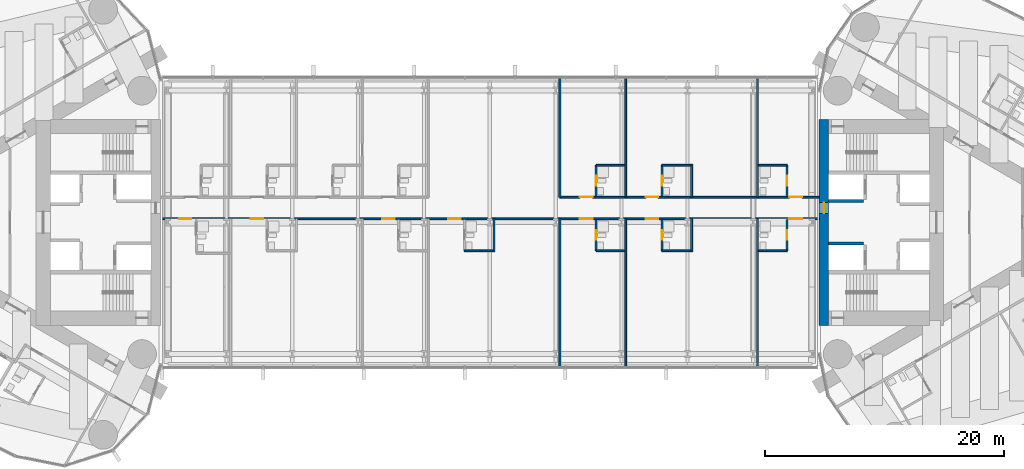
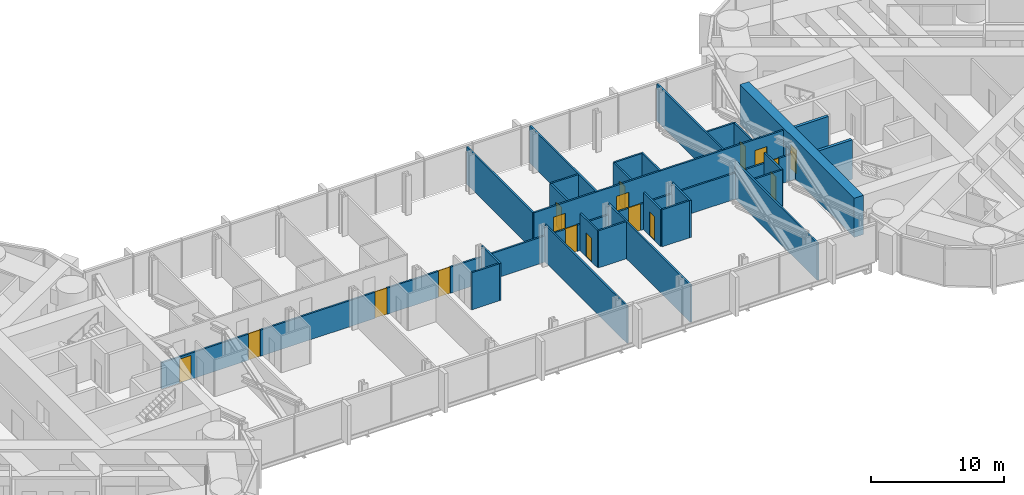
# One storey, part 17 of 22: 27 walls, 17 doors, 17 openings.
"""IFC4 building model written with IfcOpenShell, lengths in metres."""

from ifc_helpers import new_model, si_unit, direction, frame, frame_2d, origin, place, context, subcontext, project, spatial, rectangle, extrude, material, layer, layer_set, type_object, element, fill, save


model = new_model("IFC4")

# Units and contexts
model_context = context("Model", 3, precision=1e-05, world=origin(), true_north=direction((0.0, 1.0)))
body_context = subcontext(model_context, "Body", "Model", "MODEL_VIEW")
ifc_project = project(units=[si_unit("LENGTHUNIT", "METRE"), si_unit("AREAUNIT", "SQUARE_METRE"), si_unit("VOLUMEUNIT", "CUBIC_METRE"), si_unit("PLANEANGLEUNIT", "RADIAN"), si_unit("MASSUNIT", "GRAM", prefix="KILO")], contexts=[model_context])

# Site, building, storey
site_placement = place(None, origin())
site = spatial("IfcSite", under=ifc_project, at=site_placement, CompositionType="ELEMENT")
building_placement = place(site_placement, origin())
building = spatial("IfcBuilding", under=site, at=building_placement, Name="Lancet Gate Hotel", CompositionType="ELEMENT")
storey_placement = place(building_placement, frame((0.0, 0.0, 226.10009765625)))
storey = spatial("IfcBuildingStorey", under=building, at=storey_placement, Name="L60", CompositionType="ELEMENT", Elevation=226.10009765625)

# Walls
ifc_material_1 = material(Name="Moisture resistant board partition")
ifc_layer_1 = layer(ifc_material_1, 0.14990234375)
ifc_layer_set_1 = layer_set([ifc_layer_1], Name="Bathroom wall 150")
wall_type_1 = type_object("IfcWallType", Name="Bathroom wall 150", PredefinedType="PARTITIONING", material=ifc_layer_set_1)
for number, where, z_axis, x_axis, name in (
    (1, (-2.125, -2.375, 0.0), (0.0, 0.0, 1.0), (1.0, 0.0, 0.0), "Bridge block bathroom wall 150 L60"),
    (2, (8.875, -2.375, 0.0), (0.0, 0.0, 1.0), (1.0, 0.0, 0.0), "Bridge block bathroom wall 150 L60"),
):
    element("IfcWall", number, at=place(storey_placement, frame(where, z_axis=z_axis, x_axis=x_axis)), inside=storey, type_object=wall_type_1, Name=name, PredefinedType="PARTITIONING", context=body_context, shape_type="SweptSolid", body=[
        extrude(rectangle(XDim=2.39990234375, YDim=0.14990234375, at=frame_2d((1.199951171875, 0.0))), origin(), (0.0, 0.0, 1.0), 3.39990234375),
    ])

# Wall, opening, door
wall_1_placement = place(storey_placement, frame((8.875, -2.375, 0.0), z_axis=(0.0, 0.0, 1.0), x_axis=(0.0, 1.0, 0.0)))
wall_1 = element("IfcWall", 3, at=wall_1_placement, inside=storey, type_object=wall_type_1, Name="Bridge block bathroom wall 150 L60", PredefinedType="PARTITIONING", context=body_context, shape_type="SweptSolid", body=[
    extrude(rectangle(XDim=2.60009765625, YDim=0.14990234375, at=frame_2d((1.300048828125, 0.0))), origin(), (0.0, 0.0, 1.0), 3.39990234375),
])
opening_1_placement = place(wall_1_placement, frame((0.89990234375, 0.0, 0.0)))
opening_1 = element("IfcOpeningElement", 4, at=opening_1_placement, cuts=wall_1, Name="Opening B6007-B", PredefinedType="OPENING", context=body_context, shape_type="SweptSolid", body=[
    extrude(rectangle(XDim=0.800048828125, YDim=2.199951171875, at=frame_2d((0.39990234375, 1.10009765625))), frame((0.0, 0.0849609375, 0.0), z_axis=(0.0, -1.0, 0.0), x_axis=(1.0, 0.0, 0.0)), (0.0, 0.0, 1.0), 0.169921875),
])
ifc_material_2 = material(Name="Timber door set", Category="wood")
door_type_1 = type_object("IfcDoorType", Name="Bathroom door 800", OperationType="SINGLE_SWING_RIGHT", PredefinedType="DOOR", material=ifc_material_2)
door_1_placement = place(opening_1_placement, origin())
door_1 = element("IfcDoor", 5, at=door_1_placement, inside=storey, type_object=door_type_1, Name="B6007-B", OperationType="SINGLE_SWING_RIGHT", OverallHeight=2.199951171875, OverallWidth=0.800048828125, PredefinedType="DOOR", context=body_context, shape_type="SweptSolid", body=[
    extrude(rectangle(XDim=0.800048828125, YDim=2.199951171875, at=frame_2d((0.39990234375, 1.10009765625))), frame((0.0, 0.02490234375, 0.0), z_axis=(0.0, -1.0, 0.0), x_axis=(1.0, 0.0, 0.0)), (0.0, 0.0, 1.0), 0.050048828125),
])
fill(opening_1, door_1)

# Wall
wall_2_placement = place(storey_placement, frame((14.375, -2.375, 0.0), z_axis=(0.0, 0.0, 1.0), x_axis=(1.0, 0.0, 0.0)))
element("IfcWall", 6, at=wall_2_placement, inside=storey, type_object=wall_type_1, Name="Bridge block bathroom wall 150 L60", PredefinedType="PARTITIONING", context=body_context, shape_type="SweptSolid", body=[
    extrude(rectangle(XDim=2.39990234375, YDim=0.14990234375, at=frame_2d((1.199951171875, 0.0))), origin(), (0.0, 0.0, 1.0), 3.39990234375),
])

# Wall, opening, door
wall_3_placement = place(storey_placement, frame((14.375, -2.375, 0.0), z_axis=(0.0, 0.0, 1.0), x_axis=(0.0, 1.0, 0.0)))
wall_3 = element("IfcWall", 7, at=wall_3_placement, inside=storey, type_object=wall_type_1, Name="Bridge block bathroom wall 150 L60", PredefinedType="PARTITIONING", context=body_context, shape_type="SweptSolid", body=[
    extrude(rectangle(XDim=2.60009765625, YDim=0.14990234375, at=frame_2d((1.300048828125, 0.0))), origin(), (0.0, 0.0, 1.0), 3.39990234375),
])
opening_2_placement = place(wall_3_placement, frame((0.89990234375, 0.0, 0.0)))
opening_2 = element("IfcOpeningElement", 8, at=opening_2_placement, cuts=wall_3, Name="Opening B6008-B", PredefinedType="OPENING", context=body_context, shape_type="SweptSolid", body=[
    extrude(rectangle(XDim=0.800048828125, YDim=2.199951171875, at=frame_2d((0.39990234375, 1.10009765625))), frame((0.0, 0.0849609375, 0.0), z_axis=(0.0, -1.0, 0.0), x_axis=(1.0, 0.0, 0.0)), (0.0, 0.0, 1.0), 0.169921875),
])
door_2_placement = place(opening_2_placement, origin())
door_2 = element("IfcDoor", 9, at=door_2_placement, inside=storey, type_object=door_type_1, Name="B6008-B", OperationType="SINGLE_SWING_RIGHT", OverallHeight=2.199951171875, OverallWidth=0.800048828125, PredefinedType="DOOR", context=body_context, shape_type="SweptSolid", body=[
    extrude(rectangle(XDim=0.800048828125, YDim=2.199951171875, at=frame_2d((0.39990234375, 1.10009765625))), frame((0.0, 0.02490234375, 0.0), z_axis=(0.0, -1.0, 0.0), x_axis=(1.0, 0.0, 0.0)), (0.0, 0.0, 1.0), 0.050048828125),
])
fill(opening_2, door_2)

# Wall
wall_4_placement = place(storey_placement, frame((22.425048828125, -2.375, 0.0), z_axis=(0.0, 0.0, 1.0), x_axis=(1.0, 0.0, 0.0)))
element("IfcWall", 10, at=wall_4_placement, inside=storey, type_object=wall_type_1, Name="Bridge block bathroom wall 150 L60", PredefinedType="PARTITIONING", context=body_context, shape_type="SweptSolid", body=[
    extrude(rectangle(XDim=2.39990234375, YDim=0.14990234375, at=frame_2d((1.199951171875, 0.0))), origin(), (0.0, 0.0, 1.0), 3.39990234375),
])

# Wall, opening, door
wall_5_placement = place(storey_placement, frame((24.824951171875, -2.375, 0.0), z_axis=(0.0, 0.0, 1.0), x_axis=(0.0, 1.0, 0.0)))
wall_5 = element("IfcWall", 11, at=wall_5_placement, inside=storey, type_object=wall_type_1, Name="Bridge block bathroom wall 150 L60", PredefinedType="PARTITIONING", context=body_context, shape_type="SweptSolid", body=[
    extrude(rectangle(XDim=2.60009765625, YDim=0.14990234375, at=frame_2d((1.300048828125, 0.0))), origin(), (0.0, 0.0, 1.0), 3.39990234375),
])
opening_3_placement = place(wall_5_placement, frame((0.89990234375, 0.0, 0.0)))
opening_3 = element("IfcOpeningElement", 12, at=opening_3_placement, cuts=wall_5, Name="Opening B6010-B", PredefinedType="OPENING", context=body_context, shape_type="SweptSolid", body=[
    extrude(rectangle(XDim=0.800048828125, YDim=2.199951171875, at=frame_2d((0.39990234375, 1.10009765625))), frame((0.0, 0.0849609375, 0.0), z_axis=(0.0, -1.0, 0.0), x_axis=(1.0, 0.0, 0.0)), (0.0, 0.0, 1.0), 0.169921875),
])
door_3_placement = place(opening_3_placement, origin())
door_3 = element("IfcDoor", 13, at=door_3_placement, inside=storey, type_object=door_type_1, Name="B6010-B", OperationType="SINGLE_SWING_RIGHT", OverallHeight=2.199951171875, OverallWidth=0.800048828125, PredefinedType="DOOR", context=body_context, shape_type="SweptSolid", body=[
    extrude(rectangle(XDim=0.800048828125, YDim=2.199951171875, at=frame_2d((0.39990234375, 1.10009765625))), frame((0.0, 0.02490234375, 0.0), z_axis=(0.0, -1.0, 0.0), x_axis=(1.0, 0.0, 0.0)), (0.0, 0.0, 1.0), 0.050048828125),
])
fill(opening_3, door_3)

# Wall
wall_6_placement = place(storey_placement, frame((8.875, 4.77490234375, 0.0), z_axis=(0.0, 0.0, 1.0), x_axis=(1.0, 0.0, 0.0)))
element("IfcWall", 14, at=wall_6_placement, inside=storey, type_object=wall_type_1, Name="Bridge block bathroom wall 150 L60", PredefinedType="PARTITIONING", context=body_context, shape_type="SweptSolid", body=[
    extrude(rectangle(XDim=2.39990234375, YDim=0.14990234375, at=frame_2d((1.199951171875, 0.0))), origin(), (0.0, 0.0, 1.0), 3.39990234375),
])

# Wall, opening, door
wall_7_placement = place(storey_placement, frame((8.875, 2.175048828125, 0.0), z_axis=(0.0, 0.0, 1.0), x_axis=(0.0, 1.0, 0.0)))
wall_7 = element("IfcWall", 15, at=wall_7_placement, inside=storey, type_object=wall_type_1, Name="Bridge block bathroom wall 150 L60", PredefinedType="PARTITIONING", context=body_context, shape_type="SweptSolid", body=[
    extrude(rectangle(XDim=2.599853515625, YDim=0.14990234375, at=frame_2d((1.2998046875, 0.0))), origin(), (0.0, 0.0, 1.0), 3.39990234375),
])
opening_4_placement = place(wall_7_placement, frame((0.89990234375, 0.0, 0.0)))
opening_4 = element("IfcOpeningElement", 16, at=opening_4_placement, cuts=wall_7, Name="Opening B6017-B", PredefinedType="OPENING", context=body_context, shape_type="SweptSolid", body=[
    extrude(rectangle(XDim=0.800048828125, YDim=2.199951171875, at=frame_2d((0.39990234375, 1.10009765625))), frame((0.0, 0.0849609375, 0.0), z_axis=(0.0, -1.0, 0.0), x_axis=(1.0, 0.0, 0.0)), (0.0, 0.0, 1.0), 0.169921875),
])
door_4_placement = place(opening_4_placement, origin())
door_4 = element("IfcDoor", 17, at=door_4_placement, inside=storey, type_object=door_type_1, Name="B6017-B", OperationType="SINGLE_SWING_RIGHT", OverallHeight=2.199951171875, OverallWidth=0.800048828125, PredefinedType="DOOR", context=body_context, shape_type="SweptSolid", body=[
    extrude(rectangle(XDim=0.800048828125, YDim=2.199951171875, at=frame_2d((0.39990234375, 1.10009765625))), frame((0.0, 0.02490234375, 0.0), z_axis=(0.0, -1.0, 0.0), x_axis=(1.0, 0.0, 0.0)), (0.0, 0.0, 1.0), 0.050048828125),
])
fill(opening_4, door_4)

# Wall
wall_8_placement = place(storey_placement, frame((14.375, 4.77490234375, 0.0), z_axis=(0.0, 0.0, 1.0), x_axis=(1.0, 0.0, 0.0)))
element("IfcWall", 18, at=wall_8_placement, inside=storey, type_object=wall_type_1, Name="Bridge block bathroom wall 150 L60", PredefinedType="PARTITIONING", context=body_context, shape_type="SweptSolid", body=[
    extrude(rectangle(XDim=2.39990234375, YDim=0.14990234375, at=frame_2d((1.199951171875, 0.0))), origin(), (0.0, 0.0, 1.0), 3.39990234375),
])

# Wall, opening, door
wall_9_placement = place(storey_placement, frame((14.375, 2.175048828125, 0.0), z_axis=(0.0, 0.0, 1.0), x_axis=(0.0, 1.0, 0.0)))
wall_9 = element("IfcWall", 19, at=wall_9_placement, inside=storey, type_object=wall_type_1, Name="Bridge block bathroom wall 150 L60", PredefinedType="PARTITIONING", context=body_context, shape_type="SweptSolid", body=[
    extrude(rectangle(XDim=2.599853515625, YDim=0.14990234375, at=frame_2d((1.2998046875, 0.0))), origin(), (0.0, 0.0, 1.0), 3.39990234375),
])
opening_5_placement = place(wall_9_placement, frame((0.89990234375, 0.0, 0.0)))
opening_5 = element("IfcOpeningElement", 20, at=opening_5_placement, cuts=wall_9, Name="Opening B6018-B", PredefinedType="OPENING", context=body_context, shape_type="SweptSolid", body=[
    extrude(rectangle(XDim=0.800048828125, YDim=2.199951171875, at=frame_2d((0.39990234375, 1.10009765625))), frame((0.0, 0.0849609375, 0.0), z_axis=(0.0, -1.0, 0.0), x_axis=(1.0, 0.0, 0.0)), (0.0, 0.0, 1.0), 0.169921875),
])
door_5_placement = place(opening_5_placement, origin())
door_5 = element("IfcDoor", 21, at=door_5_placement, inside=storey, type_object=door_type_1, Name="B6018-B", OperationType="SINGLE_SWING_RIGHT", OverallHeight=2.199951171875, OverallWidth=0.800048828125, PredefinedType="DOOR", context=body_context, shape_type="SweptSolid", body=[
    extrude(rectangle(XDim=0.800048828125, YDim=2.199951171875, at=frame_2d((0.39990234375, 1.10009765625))), frame((0.0, 0.02490234375, 0.0), z_axis=(0.0, -1.0, 0.0), x_axis=(1.0, 0.0, 0.0)), (0.0, 0.0, 1.0), 0.050048828125),
])
fill(opening_5, door_5)

# Wall
wall_10_placement = place(storey_placement, frame((22.425048828125, 4.77490234375, 0.0), z_axis=(0.0, 0.0, 1.0), x_axis=(1.0, 0.0, 0.0)))
element("IfcWall", 22, at=wall_10_placement, inside=storey, type_object=wall_type_1, Name="Bridge block bathroom wall 150 L60", PredefinedType="PARTITIONING", context=body_context, shape_type="SweptSolid", body=[
    extrude(rectangle(XDim=2.39990234375, YDim=0.14990234375, at=frame_2d((1.199951171875, 0.0))), origin(), (0.0, 0.0, 1.0), 3.39990234375),
])

# Wall, opening, door
wall_11_placement = place(storey_placement, frame((24.824951171875, 2.175048828125, 0.0), z_axis=(0.0, 0.0, 1.0), x_axis=(0.0, 1.0, 0.0)))
wall_11 = element("IfcWall", 23, at=wall_11_placement, inside=storey, type_object=wall_type_1, Name="Bridge block bathroom wall 150 L60", PredefinedType="PARTITIONING", context=body_context, shape_type="SweptSolid", body=[
    extrude(rectangle(XDim=2.599853515625, YDim=0.14990234375, at=frame_2d((1.2998046875, 0.0))), origin(), (0.0, 0.0, 1.0), 3.39990234375),
])
opening_6_placement = place(wall_11_placement, frame((0.89990234375, 0.0, 0.0)))
opening_6 = element("IfcOpeningElement", 24, at=opening_6_placement, cuts=wall_11, Name="Opening B6020-B", PredefinedType="OPENING", context=body_context, shape_type="SweptSolid", body=[
    extrude(rectangle(XDim=0.800048828125, YDim=2.199951171875, at=frame_2d((0.39990234375, 1.10009765625))), frame((0.0, 0.0849609375, 0.0), z_axis=(0.0, -1.0, 0.0), x_axis=(1.0, 0.0, 0.0)), (0.0, 0.0, 1.0), 0.169921875),
])
door_6_placement = place(opening_6_placement, origin())
door_6 = element("IfcDoor", 25, at=door_6_placement, inside=storey, type_object=door_type_1, Name="B6020-B", OperationType="SINGLE_SWING_RIGHT", OverallHeight=2.199951171875, OverallWidth=0.800048828125, PredefinedType="DOOR", context=body_context, shape_type="SweptSolid", body=[
    extrude(rectangle(XDim=0.800048828125, YDim=2.199951171875, at=frame_2d((0.39990234375, 1.10009765625))), frame((0.0, 0.02490234375, 0.0), z_axis=(0.0, -1.0, 0.0), x_axis=(1.0, 0.0, 0.0)), (0.0, 0.0, 1.0), 0.050048828125),
])
fill(opening_6, door_6)

# Wall, openings, doors
ifc_material_3 = material(Name="Gypsum board partition")
ifc_layer_2 = layer(ifc_material_3, 0.14990234375)
ifc_layer_set_2 = layer_set([ifc_layer_2], Name="Block corridor wall 150")
wall_type_2 = type_object("IfcWallType", Name="Block corridor wall 150", PredefinedType="PARTITIONING", material=ifc_layer_set_2)
wall_12_placement = place(storey_placement, frame((-27.5, 0.300048828125, 0.0), z_axis=(0.0, 0.0, 1.0), x_axis=(1.0, 0.0, 0.0)))
wall_12 = element("IfcWall", 26, at=wall_12_placement, inside=storey, type_object=wall_type_2, Name="Bridge block block corridor wall 150 L60", PredefinedType="PARTITIONING", context=body_context, shape_type="SweptSolid", body=[
    extrude(rectangle(XDim=55.0, YDim=0.14990234375, at=frame_2d((27.5, 0.0))), origin(), (0.0, 0.0, 1.0), 2.39990234375),
])
opening_7_placement = place(wall_12_placement, frame((1.574951171875, 0.0, 0.0)))
opening_7 = element("IfcOpeningElement", 27, at=opening_7_placement, cuts=wall_12, Name="Opening B6001", PredefinedType="OPENING", context=body_context, shape_type="SweptSolid", body=[
    extrude(rectangle(XDim=1.0, YDim=2.199951171875, at=frame_2d((0.5, 1.10009765625))), frame((0.0, 0.0849609375, 0.0), z_axis=(0.0, -1.0, 0.0), x_axis=(1.0, 0.0, 0.0)), (0.0, 0.0, 1.0), 0.169921875),
])
opening_8_placement = place(wall_12_placement, frame((7.52490234375, 0.0, 0.0)))
opening_8 = element("IfcOpeningElement", 28, at=opening_8_placement, cuts=wall_12, Name="Opening B6002", PredefinedType="OPENING", context=body_context, shape_type="SweptSolid", body=[
    extrude(rectangle(XDim=1.050048828125, YDim=2.39990234375, at=frame_2d((0.52490234375, 1.199951171875))), frame((0.0, 0.0849609375, 0.0), z_axis=(0.0, -1.0, 0.0), x_axis=(1.0, 0.0, 0.0)), (0.0, 0.0, 1.0), 0.169921875),
])
opening_9_placement = place(wall_12_placement, frame((18.52490234375, 0.0, 0.0)))
opening_9 = element("IfcOpeningElement", 29, at=opening_9_placement, cuts=wall_12, Name="Opening B6004", PredefinedType="OPENING", context=body_context, shape_type="SweptSolid", body=[
    extrude(rectangle(XDim=1.050048828125, YDim=2.39990234375, at=frame_2d((0.52490234375, 1.199951171875))), frame((0.0, 0.0849609375, 0.0), z_axis=(0.0, -1.0, 0.0), x_axis=(1.0, 0.0, 0.0)), (0.0, 0.0, 1.0), 0.169921875),
])
opening_10_placement = place(wall_12_placement, frame((24.02490234375, 0.0, 0.0)))
opening_10 = element("IfcOpeningElement", 30, at=opening_10_placement, cuts=wall_12, Name="Opening B6005", PredefinedType="OPENING", context=body_context, shape_type="SweptSolid", body=[
    extrude(rectangle(XDim=1.050048828125, YDim=2.39990234375, at=frame_2d((0.52490234375, 1.199951171875))), frame((0.0, 0.0849609375, 0.0), z_axis=(0.0, -1.0, 0.0), x_axis=(1.0, 0.0, 0.0)), (0.0, 0.0, 1.0), 0.169921875),
])
opening_11_placement = place(wall_12_placement, frame((35.02490234375, 0.0, 0.0)))
opening_11 = element("IfcOpeningElement", 31, at=opening_11_placement, cuts=wall_12, Name="Opening B6007", PredefinedType="OPENING", context=body_context, shape_type="SweptSolid", body=[
    extrude(rectangle(XDim=1.050048828125, YDim=2.39990234375, at=frame_2d((0.52490234375, 1.199951171875))), frame((0.0, 0.0849609375, 0.0), z_axis=(0.0, -1.0, 0.0), x_axis=(1.0, 0.0, 0.0)), (0.0, 0.0, 1.0), 0.169921875),
])
opening_12_placement = place(wall_12_placement, frame((40.52490234375, 0.0, 0.0)))
opening_12 = element("IfcOpeningElement", 32, at=opening_12_placement, cuts=wall_12, Name="Opening B6008", PredefinedType="OPENING", context=body_context, shape_type="SweptSolid", body=[
    extrude(rectangle(XDim=1.050048828125, YDim=2.39990234375, at=frame_2d((0.52490234375, 1.199951171875))), frame((0.0, 0.0849609375, 0.0), z_axis=(0.0, -1.0, 0.0), x_axis=(1.0, 0.0, 0.0)), (0.0, 0.0, 1.0), 0.169921875),
])
opening_13_placement = place(wall_12_placement, frame((52.52490234375, 0.0, 0.0)))
opening_13 = element("IfcOpeningElement", 33, at=opening_13_placement, cuts=wall_12, Name="Opening B6010", PredefinedType="OPENING", context=body_context, shape_type="SweptSolid", body=[
    extrude(rectangle(XDim=1.050048828125, YDim=2.39990234375, at=frame_2d((0.52490234375, 1.199951171875))), frame((0.0, 0.0849609375, 0.0), z_axis=(0.0, -1.0, 0.0), x_axis=(1.0, 0.0, 0.0)), (0.0, 0.0, 1.0), 0.169921875),
])
ifc_material_4 = material(Name="Timber door set", Category="wood")
door_type_2 = type_object("IfcDoorType", Name="Accessible guest room door 1000", OperationType="SINGLE_SWING_LEFT", PredefinedType="DOOR", material=ifc_material_4)
door_7_placement = place(opening_7_placement, origin())
door_7 = element("IfcDoor", 34, at=door_7_placement, inside=storey, type_object=door_type_2, Name="B6001", OperationType="SINGLE_SWING_LEFT", OverallHeight=2.199951171875, OverallWidth=1.0, PredefinedType="DOOR", context=body_context, shape_type="SweptSolid", body=[
    extrude(rectangle(XDim=1.0, YDim=2.199951171875, at=frame_2d((0.5, 1.10009765625))), frame((0.0, 0.02490234375, 0.0), z_axis=(0.0, -1.0, 0.0), x_axis=(1.0, 0.0, 0.0)), (0.0, 0.0, 1.0), 0.050048828125),
])
fill(opening_7, door_7)
ifc_material_5 = material(Name="Timber door set", Category="wood")
door_type_3 = type_object("IfcDoorType", Name="Suite entry door 1050", OperationType="SINGLE_SWING_LEFT", PredefinedType="DOOR", material=ifc_material_5)
door_8_placement = place(opening_8_placement, origin())
door_8 = element("IfcDoor", 35, at=door_8_placement, inside=storey, type_object=door_type_3, Name="B6002", OperationType="SINGLE_SWING_LEFT", OverallHeight=2.39990234375, OverallWidth=1.050048828125, PredefinedType="DOOR", context=body_context, shape_type="SweptSolid", body=[
    extrude(rectangle(XDim=1.050048828125, YDim=2.39990234375, at=frame_2d((0.52490234375, 1.199951171875))), frame((0.0, 0.02490234375, 0.0), z_axis=(0.0, -1.0, 0.0), x_axis=(1.0, 0.0, 0.0)), (0.0, 0.0, 1.0), 0.050048828125),
])
fill(opening_8, door_8)
door_9_placement = place(opening_9_placement, origin())
door_9 = element("IfcDoor", 36, at=door_9_placement, inside=storey, type_object=door_type_3, Name="B6004", OperationType="SINGLE_SWING_LEFT", OverallHeight=2.39990234375, OverallWidth=1.050048828125, PredefinedType="DOOR", context=body_context, shape_type="SweptSolid", body=[
    extrude(rectangle(XDim=1.050048828125, YDim=2.39990234375, at=frame_2d((0.52490234375, 1.199951171875))), frame((0.0, 0.02490234375, 0.0), z_axis=(0.0, -1.0, 0.0), x_axis=(1.0, 0.0, 0.0)), (0.0, 0.0, 1.0), 0.050048828125),
])
fill(opening_9, door_9)
door_10_placement = place(opening_10_placement, origin())
door_10 = element("IfcDoor", 37, at=door_10_placement, inside=storey, type_object=door_type_3, Name="B6005", OperationType="SINGLE_SWING_LEFT", OverallHeight=2.39990234375, OverallWidth=1.050048828125, PredefinedType="DOOR", context=body_context, shape_type="SweptSolid", body=[
    extrude(rectangle(XDim=1.050048828125, YDim=2.39990234375, at=frame_2d((0.52490234375, 1.199951171875))), frame((0.0, 0.02490234375, 0.0), z_axis=(0.0, -1.0, 0.0), x_axis=(1.0, 0.0, 0.0)), (0.0, 0.0, 1.0), 0.050048828125),
])
fill(opening_10, door_10)
door_11_placement = place(opening_11_placement, origin())
door_11 = element("IfcDoor", 38, at=door_11_placement, inside=storey, type_object=door_type_3, Name="B6007", OperationType="SINGLE_SWING_LEFT", OverallHeight=2.39990234375, OverallWidth=1.050048828125, PredefinedType="DOOR", context=body_context, shape_type="SweptSolid", body=[
    extrude(rectangle(XDim=1.050048828125, YDim=2.39990234375, at=frame_2d((0.52490234375, 1.199951171875))), frame((0.0, 0.02490234375, 0.0), z_axis=(0.0, -1.0, 0.0), x_axis=(1.0, 0.0, 0.0)), (0.0, 0.0, 1.0), 0.050048828125),
])
fill(opening_11, door_11)
door_12_placement = place(opening_12_placement, origin())
door_12 = element("IfcDoor", 39, at=door_12_placement, inside=storey, type_object=door_type_3, Name="B6008", OperationType="SINGLE_SWING_LEFT", OverallHeight=2.39990234375, OverallWidth=1.050048828125, PredefinedType="DOOR", context=body_context, shape_type="SweptSolid", body=[
    extrude(rectangle(XDim=1.050048828125, YDim=2.39990234375, at=frame_2d((0.52490234375, 1.199951171875))), frame((0.0, 0.02490234375, 0.0), z_axis=(0.0, -1.0, 0.0), x_axis=(1.0, 0.0, 0.0)), (0.0, 0.0, 1.0), 0.050048828125),
])
fill(opening_12, door_12)
door_13_placement = place(opening_13_placement, origin())
door_13 = element("IfcDoor", 40, at=door_13_placement, inside=storey, type_object=door_type_3, Name="B6010", OperationType="SINGLE_SWING_LEFT", OverallHeight=2.39990234375, OverallWidth=1.050048828125, PredefinedType="DOOR", context=body_context, shape_type="SweptSolid", body=[
    extrude(rectangle(XDim=1.050048828125, YDim=2.39990234375, at=frame_2d((0.52490234375, 1.199951171875))), frame((0.0, 0.02490234375, 0.0), z_axis=(0.0, -1.0, 0.0), x_axis=(1.0, 0.0, 0.0)), (0.0, 0.0, 1.0), 0.050048828125),
])
fill(opening_13, door_13)

wall_13_placement = place(storey_placement, frame((5.85009765625, 2.10009765625, 0.0), z_axis=(0.0, 0.0, 1.0), x_axis=(1.0, 0.0, 0.0)))
wall_13 = element("IfcWall", 41, at=wall_13_placement, inside=storey, type_object=wall_type_2, Name="Bridge block block corridor wall 150 L60", PredefinedType="PARTITIONING", context=body_context, shape_type="SweptSolid", body=[
    extrude(rectangle(XDim=21.64990234375, YDim=0.14990234375, at=frame_2d((10.824951171875, 0.0))), origin(), (0.0, 0.0, 1.0), 3.39990234375),
])
opening_14_placement = place(wall_13_placement, frame((1.675048828125, 0.0, 0.0)))
opening_14 = element("IfcOpeningElement", 42, at=opening_14_placement, cuts=wall_13, Name="Opening B6017", PredefinedType="OPENING", context=body_context, shape_type="SweptSolid", body=[
    extrude(rectangle(XDim=1.050048828125, YDim=2.39990234375, at=frame_2d((0.52490234375, 1.199951171875))), frame((0.0, 0.0849609375, 0.0), z_axis=(0.0, -1.0, 0.0), x_axis=(1.0, 0.0, 0.0)), (0.0, 0.0, 1.0), 0.169921875),
])
opening_15_placement = place(wall_13_placement, frame((7.175048828125, 0.0, 0.0)))
opening_15 = element("IfcOpeningElement", 43, at=opening_15_placement, cuts=wall_13, Name="Opening B6018", PredefinedType="OPENING", context=body_context, shape_type="SweptSolid", body=[
    extrude(rectangle(XDim=1.050048828125, YDim=2.39990234375, at=frame_2d((0.52490234375, 1.199951171875))), frame((0.0, 0.0849609375, 0.0), z_axis=(0.0, -1.0, 0.0), x_axis=(1.0, 0.0, 0.0)), (0.0, 0.0, 1.0), 0.169921875),
])
opening_16_placement = place(wall_13_placement, frame((19.175048828125, 0.0, 0.0)))
opening_16 = element("IfcOpeningElement", 44, at=opening_16_placement, cuts=wall_13, Name="Opening B6020", PredefinedType="OPENING", context=body_context, shape_type="SweptSolid", body=[
    extrude(rectangle(XDim=1.050048828125, YDim=2.39990234375, at=frame_2d((0.52490234375, 1.199951171875))), frame((0.0, 0.0849609375, 0.0), z_axis=(0.0, -1.0, 0.0), x_axis=(1.0, 0.0, 0.0)), (0.0, 0.0, 1.0), 0.169921875),
])
door_14_placement = place(opening_14_placement, origin())
door_14 = element("IfcDoor", 45, at=door_14_placement, inside=storey, type_object=door_type_3, Name="B6017", OperationType="SINGLE_SWING_LEFT", OverallHeight=2.39990234375, OverallWidth=1.050048828125, PredefinedType="DOOR", context=body_context, shape_type="SweptSolid", body=[
    extrude(rectangle(XDim=1.050048828125, YDim=2.39990234375, at=frame_2d((0.52490234375, 1.199951171875))), frame((0.0, 0.02490234375, 0.0), z_axis=(0.0, -1.0, 0.0), x_axis=(1.0, 0.0, 0.0)), (0.0, 0.0, 1.0), 0.050048828125),
])
fill(opening_14, door_14)
door_15_placement = place(opening_15_placement, origin())
door_15 = element("IfcDoor", 46, at=door_15_placement, inside=storey, type_object=door_type_3, Name="B6018", OperationType="SINGLE_SWING_LEFT", OverallHeight=2.39990234375, OverallWidth=1.050048828125, PredefinedType="DOOR", context=body_context, shape_type="SweptSolid", body=[
    extrude(rectangle(XDim=1.050048828125, YDim=2.39990234375, at=frame_2d((0.52490234375, 1.199951171875))), frame((0.0, 0.02490234375, 0.0), z_axis=(0.0, -1.0, 0.0), x_axis=(1.0, 0.0, 0.0)), (0.0, 0.0, 1.0), 0.050048828125),
])
fill(opening_15, door_15)
door_16_placement = place(opening_16_placement, origin())
door_16 = element("IfcDoor", 47, at=door_16_placement, inside=storey, type_object=door_type_3, Name="B6020", OperationType="SINGLE_SWING_LEFT", OverallHeight=2.39990234375, OverallWidth=1.050048828125, PredefinedType="DOOR", context=body_context, shape_type="SweptSolid", body=[
    extrude(rectangle(XDim=1.050048828125, YDim=2.39990234375, at=frame_2d((0.52490234375, 1.199951171875))), frame((0.0, 0.02490234375, 0.0), z_axis=(0.0, -1.0, 0.0), x_axis=(1.0, 0.0, 0.0)), (0.0, 0.0, 1.0), 0.050048828125),
])
fill(opening_16, door_16)

# Wall, opening, door
ifc_material_6 = material(Name="Concrete C70/85", Category="concrete")
ifc_layer_3 = layer(ifc_material_6, 0.800048828125)
ifc_layer_set_3 = layer_set([ifc_layer_3], Name="Core wall 800")
wall_type_3 = type_object("IfcWallType", Name="Core wall 800", PredefinedType="SHEAR", material=ifc_layer_set_3)
wall_14_placement = place(storey_placement, frame((27.89990234375, -8.60009765625, 0.0), z_axis=(0.0, 0.0, 1.0), x_axis=(0.0, 1.0, 0.0)))
wall_14 = element("IfcWall", 48, at=wall_14_placement, inside=storey, type_object=wall_type_3, Name="T2 core wall front L60", PredefinedType="SHEAR", context=body_context, shape_type="SweptSolid", body=[
    extrude(rectangle(XDim=17.2001953125, YDim=0.800048828125, at=frame_2d((8.60009765625, 0.0))), origin(), (0.0, 0.0, 1.0), 3.599853515625),
])
opening_17_placement = place(wall_14_placement, frame((9.35009765625, 0.0, 0.0)))
opening_17 = element("IfcOpeningElement", 49, at=opening_17_placement, cuts=wall_14, Name="Opening T2-L60-BR", PredefinedType="OPENING", context=body_context, shape_type="SweptSolid", body=[
    extrude(rectangle(XDim=0.89990234375, YDim=2.199951171875, at=frame_2d((0.449951171875, 1.10009765625))), frame((0.0, 0.409912109375, 0.0), z_axis=(0.0, -1.0, 0.0), x_axis=(1.0, 0.0, 0.0)), (0.0, 0.0, 1.0), 0.820068359375),
])
ifc_material_7 = material(Name="Steel door set", Category="steel")
door_type_4 = type_object("IfcDoorType", Name="Bridge fire door 900", OperationType="SINGLE_SWING_LEFT", PredefinedType="DOOR", material=ifc_material_7)
door_17_placement = place(opening_17_placement, origin())
door_17 = element("IfcDoor", 50, at=door_17_placement, inside=storey, type_object=door_type_4, Name="T2-L60-BR", OperationType="SINGLE_SWING_LEFT", OverallHeight=2.199951171875, OverallWidth=0.89990234375, PredefinedType="DOOR", context=body_context, shape_type="SweptSolid", body=[
    extrude(rectangle(XDim=0.89990234375, YDim=2.199951171875, at=frame_2d((0.449951171875, 1.10009765625))), frame((0.0, 0.02490234375, 0.0), z_axis=(0.0, -1.0, 0.0), x_axis=(1.0, 0.0, 0.0)), (0.0, 0.0, 1.0), 0.050048828125),
])
fill(opening_17, door_17)

# Walls
ifc_material_8 = material(Name="Concrete C50/60", Category="concrete")
ifc_layer_4 = layer(ifc_material_8, 0.25)
ifc_layer_set_4 = layer_set([ifc_layer_4], Name="Lift shaft wall 250")
wall_type_4 = type_object("IfcWallType", Name="Lift shaft wall 250", PredefinedType="SHEAR", material=ifc_layer_set_4)
for number, where, z_axis, x_axis, name in (
    (51, (28.300048828125, -1.77490234375, 0.0), (0.0, 0.0, 1.0), (1.0, 0.0, 0.0), "T2 core wall pass1-S L60"),
    (52, (28.300048828125, 1.77490234375, 0.0), (0.0, 0.0, 1.0), (1.0, 0.0, 0.0), "T2 core wall pass1-N L60"),
):
    element("IfcWall", number, at=place(storey_placement, frame(where, z_axis=z_axis, x_axis=x_axis)), inside=storey, type_object=wall_type_4, Name=name, PredefinedType="SHEAR", context=body_context, shape_type="SweptSolid", body=[
        extrude(rectangle(XDim=2.89990234375, YDim=0.25, at=frame_2d((1.449951171875, 0.0))), origin(), (0.0, 0.0, 1.0), 3.599853515625),
    ])
ifc_material_9 = material(Name="Gypsum board partition")
ifc_layer_5 = layer(ifc_material_9, 0.14990234375)
ifc_layer_set_5 = layer_set([ifc_layer_5], Name="Party wall 150")
wall_type_5 = type_object("IfcWallType", Name="Party wall 150", PredefinedType="PARTITIONING", material=ifc_layer_set_5)
for number, where, z_axis, x_axis, name in (
    (53, (5.85009765625, -12.070068359375, 0.0), (0.0, 0.0, 1.0), (0.0, 1.0, 0.0), "Bridge block party wall 150 L60"),
    (54, (11.35009765625, -12.070068359375, 0.0), (0.0, 0.0, 1.0), (0.0, 1.0, 0.0), "Bridge block party wall 150 L60"),
    (55, (22.35009765625, -12.070068359375, 0.0), (0.0, 0.0, 1.0), (0.0, 1.0, 0.0), "Bridge block party wall 150 L60"),
):
    element("IfcWall", number, at=place(storey_placement, frame(where, z_axis=z_axis, x_axis=x_axis)), inside=storey, type_object=wall_type_5, Name=name, PredefinedType="PARTITIONING", context=body_context, shape_type="SweptSolid", body=[
        extrude(rectangle(XDim=12.3701171875, YDim=0.14990234375, at=frame_2d((6.18505859375, 0.0))), origin(), (0.0, 0.0, 1.0), 3.39990234375),
    ])
for number, where, z_axis, x_axis, name in (
    (56, (5.85009765625, 2.10009765625, 0.0), (0.0, 0.0, 1.0), (0.0, 1.0, 0.0), "Bridge block party wall 150 L60"),
    (57, (11.35009765625, 2.10009765625, 0.0), (0.0, 0.0, 1.0), (0.0, 1.0, 0.0), "Bridge block party wall 150 L60"),
    (58, (22.35009765625, 2.10009765625, 0.0), (0.0, 0.0, 1.0), (0.0, 1.0, 0.0), "Bridge block party wall 150 L60"),
):
    element("IfcWall", number, at=place(storey_placement, frame(where, z_axis=z_axis, x_axis=x_axis)), inside=storey, type_object=wall_type_5, Name=name, PredefinedType="PARTITIONING", context=body_context, shape_type="SweptSolid", body=[
        extrude(rectangle(XDim=9.969970703125, YDim=0.14990234375, at=frame_2d((4.98486328125, 0.0))), origin(), (0.0, 0.0, 1.0), 3.39990234375),
    ])
for number, where, z_axis, x_axis, name in (
    (59, (0.35009765625, -2.449951171875, 0.0), (0.0, 0.0, 1.0), (0.0, 1.0, 0.0), "Bridge block party wall 150 L60"),
    (60, (16.85009765625, -2.449951171875, 0.0), (0.0, 0.0, 1.0), (0.0, 1.0, 0.0), "Bridge block party wall 150 L60"),
    (61, (16.85009765625, 2.10009765625, 0.0), (0.0, 0.0, 1.0), (0.0, 1.0, 0.0), "Bridge block party wall 150 L60"),
):
    element("IfcWall", number, at=place(storey_placement, frame(where, z_axis=z_axis, x_axis=x_axis)), inside=storey, type_object=wall_type_5, Name=name, PredefinedType="PARTITIONING", context=body_context, shape_type="SweptSolid", body=[
        extrude(rectangle(XDim=2.75, YDim=0.14990234375, at=frame_2d((1.375, 0.0))), origin(), (0.0, 0.0, 1.0), 3.39990234375),
    ])

save(model, "model.ifc")
